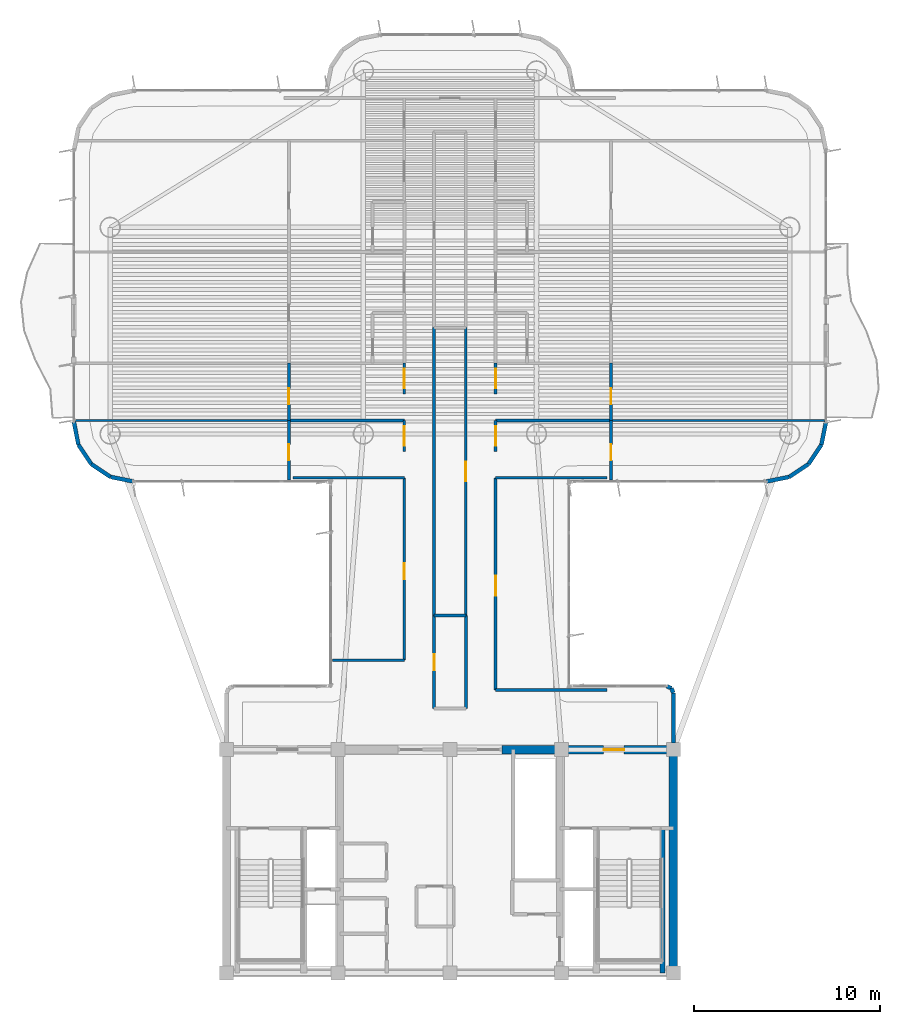
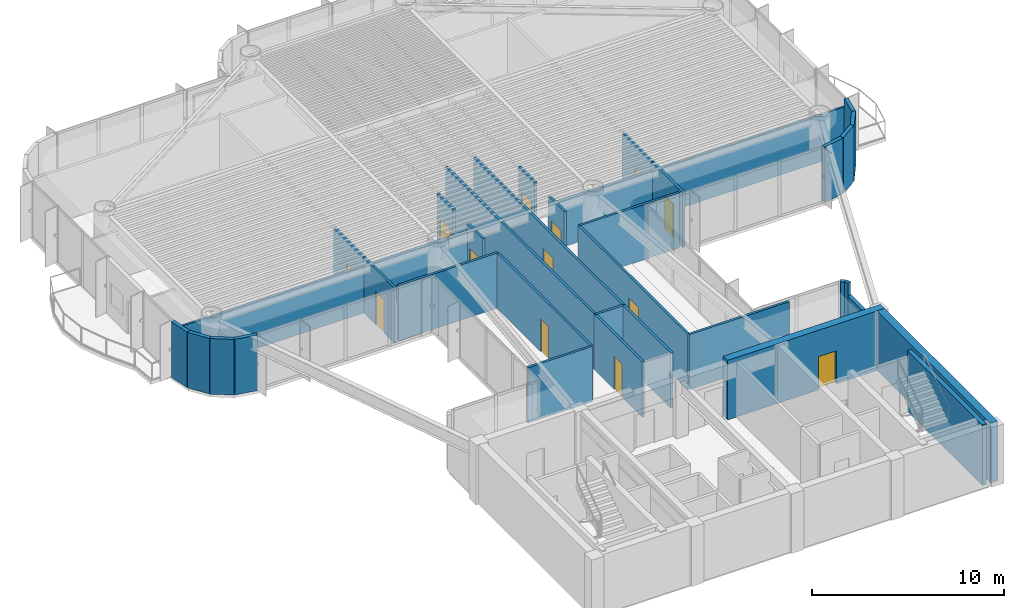
# One storey, part 10 of 15: 37 walls, 13 doors, 13 openings.
"""IFC4 building model written with IfcOpenShell, lengths in metres."""

from ifc_helpers import new_model, si_unit, direction, frame, frame_2d, origin, origin_2d, place, context, subcontext, project, spatial, rectangle, extrude, source, transform, mapped, material, layer, layer_set, type_object, element, fill, save


model = new_model("IFC4")

# Units and contexts
model_context = context("Model", 3, precision=1e-05, world=origin(), true_north=direction((0.0, 1.0)))
body_context = subcontext(model_context, "Body", "Model", "MODEL_VIEW")
ifc_project = project(units=[si_unit("LENGTHUNIT", "METRE"), si_unit("AREAUNIT", "SQUARE_METRE"), si_unit("VOLUMEUNIT", "CUBIC_METRE"), si_unit("PLANEANGLEUNIT", "RADIAN"), si_unit("MASSUNIT", "GRAM", prefix="KILO")], contexts=[model_context])

# Site, building, storey
site_placement = place(None, origin())
site = spatial("IfcSite", under=ifc_project, at=site_placement, CompositionType="ELEMENT")
building_placement = place(site_placement, origin())
building = spatial("IfcBuilding", under=site, at=building_placement, Name="Brelvock Crest Care Tower", CompositionType="ELEMENT")
storey_placement = place(building_placement, frame((0.0, 0.0, 167.760009765625)))
storey = spatial("IfcBuildingStorey", under=building, at=storey_placement, Name="L42", CompositionType="ELEMENT", Elevation=167.760009765625)

# Wall
ifc_material_1 = material(Name="Concrete S65 (65 MPa)", Category="concrete")
ifc_layer_1 = layer(ifc_material_1, 0.449951171875, Name="WL-CS3")
ifc_layer_set_1 = layer_set([ifc_layer_1], Name="Concrete S65 (65 MPa)")
wall_type_1 = type_object("IfcWallType", Name="WL-CS3", PredefinedType="SHEAR", material=ifc_layer_set_1)
wall_1_placement = place(storey_placement, frame((48.0, 18.0, 0.0), z_axis=(0.0, 0.0, 1.0), x_axis=(0.0, -1.0, 0.0)))
element("IfcWall", 1, at=wall_1_placement, inside=storey, type_object=wall_type_1, Name="L42 Core East Shear Wall", PredefinedType="SHEAR", context=body_context, shape_type="SweptSolid", body=[
    extrude(rectangle(XDim=12.0, YDim=0.449951171875, at=frame_2d((6.0, 0.0))), origin(), (0.0, 0.0, 1.0), 3.780029296875),
])

# Wall, opening, door
wall_2_placement = place(storey_placement, frame((38.800048828125, 18.0, 0.0), z_axis=(0.0, 0.0, 1.0), x_axis=(1.0, 0.0, 0.0)))
wall_2 = element("IfcWall", 2, at=wall_2_placement, inside=storey, type_object=wall_type_1, Name="L42 Core North-East Shear Wall", PredefinedType="SHEAR", context=body_context, shape_type="SweptSolid", body=[
    extrude(rectangle(XDim=9.425048828125, YDim=0.449951171875, at=frame_2d((4.71240234375, 0.0))), origin(), (0.0, 0.0, 1.0), 3.780029296875),
])
opening_1_placement = place(wall_2_placement, frame((5.449951171875, 0.0, 0.0)))
opening_1 = element("IfcOpeningElement", 3, at=opening_1_placement, cuts=wall_2, Name="Opening FD-1", PredefinedType="OPENING", context=body_context, shape_type="SweptSolid", body=[
    extrude(rectangle(XDim=1.10009765625, YDim=2.10009765625, at=origin_2d()), frame((0.550048828125, 0.23486328125, 1.050048828125), z_axis=(0.0, -1.0, 0.0), x_axis=(1.0, 0.0, 0.0)), (0.0, 0.0, 1.0), 0.469970703125),
])
ifc_material_2 = material(Name="Steel Grade 350", Category="steel")
door_type_1 = type_object("IfcDoorType", Name="DR-FFL1", OperationType="NOTDEFINED", PredefinedType="DOOR", material=ifc_material_2)
shared_shape_1 = source(origin(), body_context, "Body", "SweptSolid", [
    extrude(rectangle(XDim=1.10009765625, YDim=2.10009765625, at=origin_2d()), frame((0.550048828125, 0.02490234375, 1.050048828125), z_axis=(0.0, -1.0, 0.0), x_axis=(1.0, 0.0, 0.0)), (0.0, 0.0, 1.0), 0.050048828125),
])
door_1_placement = place(opening_1_placement, origin())
door_1 = element("IfcDoor", 4, at=door_1_placement, inside=storey, type_object=door_type_1, Name="L42 Firefighting Lobby FFL-2 Exit Door", OperationType="SINGLE_SWING_RIGHT", OverallHeight=2.10009765625, OverallWidth=1.10009765625, PredefinedType="DOOR", context=body_context, shape_type="MappedRepresentation", body=[
    mapped(shared_shape_1, transform((0.0, 0.0, 0.0), x_axis=(1.0, 0.0, 0.0), y_axis=(0.0, 1.0, 0.0), z_axis=(0.0, 0.0, 1.0), scale=1.0)),
])
fill(opening_1, door_1)

# Walls
ifc_material_3 = material(Name="Concrete S80 (80 MPa)", Category="concrete")
ifc_layer_2 = layer(ifc_material_3, 0.25, Name="WL-CS6")
ifc_layer_set_2 = layer_set([ifc_layer_2], Name="Concrete S80 (80 MPa)")
wall_type_2 = type_object("IfcWallType", Name="WL-CS6", PredefinedType="SHEAR", material=ifc_layer_set_2)
wall_3_placement = place(storey_placement, frame((47.419921875, 6.0, 0.0), z_axis=(0.0, 0.0, 1.0), x_axis=(0.0, 1.0, 0.0)))
element("IfcWall", 5, at=wall_3_placement, inside=storey, type_object=wall_type_2, Name="L42 Core Stair ST-2 East Shear Wall", PredefinedType="SHEAR", context=body_context, shape_type="SweptSolid", body=[
    extrude(rectangle(XDim=7.780029296875, YDim=0.25, at=frame_2d((3.89013671875, 0.0))), origin(), (0.0, 0.0, 1.0), 3.85009765625),
])
ifc_material_4 = material(Name="Precast concrete N40 (40 MPa)", Category="concrete")
ifc_layer_3 = layer(ifc_material_4, 0.215087890625, Name="WL-EX2")
ifc_layer_set_3 = layer_set([ifc_layer_3], Name="Precast concrete N40 (40 MPa)")
wall_type_3 = type_object("IfcWallType", Name="WL-EX2", PredefinedType="SOLIDWALL", material=ifc_layer_set_3)
wall_4_placement = place(storey_placement, frame((47.8974609375, 21.297607421875, 0.0), z_axis=(0.0, 0.0, 1.0), x_axis=(0.382673670509, -0.923883575944, 0.0)))
element("IfcWall", 6, at=wall_4_placement, inside=storey, type_object=wall_type_3, Name="L42 Rounded Corner Wall 00", PredefinedType="SOLIDWALL", context=body_context, shape_type="SweptSolid", body=[
    extrude(rectangle(XDim=0.26806640625, YDim=0.215087890625, at=frame_2d((0.134033203125, 0.0))), origin(), (0.0, 0.0, 1.0), 3.530029296875),
])
wall_5_placement = place(storey_placement, frame((48.0, 21.050048828125, 0.0), z_axis=(0.0, 0.0, 1.0), x_axis=(0.0, -1.0, 0.0)))
element("IfcWall", 7, at=wall_5_placement, inside=storey, type_object=wall_type_3, Name="L42 Rounded Corner Wall 01", PredefinedType="SOLIDWALL", context=body_context, shape_type="SweptSolid", body=[
    extrude(rectangle(XDim=2.695068359375, YDim=0.215087890625, at=frame_2d((1.34765625, 0.0))), origin(), (0.0, 0.0, 1.0), 2.718017578125),
])
for number, where, z_axis, x_axis, name in (
    (8, (19.0, 32.39990234375, 0.0), (0.0, 0.0, 1.0), (-0.980775717779, 0.195138390419, 0.0), "L42 Rounded Corner Wall 13"),
    (9, (17.775390625, 32.6435546875, 0.0), (0.0, 0.0, 1.0), (-0.831387912822, 0.555692485475, 0.0), "L42 Rounded Corner Wall 14"),
    (10, (16.7373046875, 33.33740234375, 0.0), (0.0, 0.0, 1.0), (-0.555557312883, 0.831478245117, 0.0), "L42 Rounded Corner Wall 15"),
    (11, (16.043701171875, 34.37548828125, 0.0), (0.0, 0.0, 1.0), (-0.195138390419, 0.980775717779, 0.0), "L42 Rounded Corner Wall 16"),
    (12, (56.199951171875, 35.60009765625, 0.0), (0.0, 0.0, 1.0), (-0.195138390419, -0.980775717779, 0.0), "L42 Rounded Corner Wall 40"),
    (13, (55.956298828125, 34.37548828125, 0.0), (0.0, 0.0, 1.0), (-0.555557312883, -0.831478245117, 0.0), "L42 Rounded Corner Wall 41"),
    (14, (55.2626953125, 33.33740234375, 0.0), (0.0, 0.0, 1.0), (-0.831387912822, -0.555692485475, 0.0), "L42 Rounded Corner Wall 42"),
    (15, (54.224609375, 32.6435546875, 0.0), (0.0, 0.0, 1.0), (-0.980775717779, -0.195138390419, 0.0), "L42 Rounded Corner Wall 43"),
):
    element("IfcWall", number, at=place(storey_placement, frame(where, z_axis=z_axis, x_axis=x_axis)), inside=storey, type_object=wall_type_3, Name=name, PredefinedType="SOLIDWALL", context=body_context, shape_type="SweptSolid", body=[
        extrude(rectangle(XDim=1.24853515625, YDim=0.215087890625, at=frame_2d((0.624267578125, 0.0))), origin(), (0.0, 0.0, 1.0), 3.530029296875),
    ])
wall_6_placement = place(storey_placement, frame((47.64990234375, 21.39990234375, 0.0), z_axis=(0.0, 0.0, 1.0), x_axis=(0.924205486139, -0.381895560841, 0.0)))
element("IfcWall", 16, at=wall_6_placement, inside=storey, type_object=wall_type_3, Name="L42 Rounded Corner Wall 47", PredefinedType="SOLIDWALL", context=body_context, shape_type="SweptSolid", body=[
    extrude(rectangle(XDim=0.267822265625, YDim=0.215087890625, at=frame_2d((0.1337890625, 0.0))), origin(), (0.0, 0.0, 1.0), 3.530029296875),
])
ifc_material_5 = material(Name="Masonry Blockwork Acoustic Partition", Category="masonry")
ifc_layer_4 = layer(ifc_material_5, 0.14990234375, Name="WL-INT1")
ifc_layer_set_4 = layer_set([ifc_layer_4], Name="Masonry Blockwork Acoustic Partition")
wall_type_4 = type_object("IfcWallType", Name="WL-INT1", PredefinedType="PARTITIONING", material=ifc_layer_set_4)
wall_7_placement = place(storey_placement, frame((38.449951171875, 21.199951171875, 0.0), z_axis=(0.0, 0.0, 1.0), x_axis=(1.0, 0.0, 0.0)))
element("IfcWall", 17, at=wall_7_placement, inside=storey, type_object=wall_type_4, Name="L42 Interior Wall WL-BX-L42-THRE-S", PredefinedType="PARTITIONING", context=body_context, shape_type="SweptSolid", body=[
    extrude(rectangle(XDim=5.99267578125, YDim=0.14990234375, at=frame_2d((2.996337890625, 0.0))), origin(), (0.0, 0.0, 1.0), 3.5),
])
wall_8_placement = place(storey_placement, frame((29.6796875, 22.800048828125, 0.0), z_axis=(0.0, 0.0, 1.0), x_axis=(1.0, 0.0, 0.0)))
element("IfcWall", 18, at=wall_8_placement, inside=storey, type_object=wall_type_4, Name="L42 Interior Wall WL-BX-L42-THRW-S", PredefinedType="PARTITIONING", context=body_context, shape_type="SweptSolid", body=[
    extrude(rectangle(XDim=3.870361328125, YDim=0.14990234375, at=frame_2d((1.93505859375, 0.0))), origin(), (0.0, 0.0, 1.0), 3.5),
])
wall_9_placement = place(storey_placement, frame((27.55712890625, 32.60009765625, 0.0), z_axis=(0.0, 0.0, 1.0), x_axis=(1.0, 0.0, 0.0)))
element("IfcWall", 19, at=wall_9_placement, inside=storey, type_object=wall_type_4, Name="L42 Interior Wall WL-BX-L42-CS-WS1A-S", PredefinedType="PARTITIONING", context=body_context, shape_type="SweptSolid", body=[
    extrude(rectangle(XDim=5.992919921875, YDim=0.14990234375, at=frame_2d((2.99658203125, 0.0))), origin(), (0.0, 0.0, 1.0), 3.5),
])
wall_10_placement = place(storey_placement, frame((38.449951171875, 32.60009765625, 0.0), z_axis=(0.0, 0.0, 1.0), x_axis=(1.0, 0.0, 0.0)))
element("IfcWall", 20, at=wall_10_placement, inside=storey, type_object=wall_type_4, Name="L42 Interior Wall WL-BX-L42-CS-ES1A-S", PredefinedType="PARTITIONING", context=body_context, shape_type="SweptSolid", body=[
    extrude(rectangle(XDim=5.993408203125, YDim=0.14990234375, at=frame_2d((2.99658203125, 0.0))), origin(), (0.0, 0.0, 1.0), 3.5),
])
for number, where, z_axis, x_axis, name in (
    (21, (27.35009765625, 35.677001953125, 0.0), (0.0, 0.0, 1.0), (1.0, 0.0, 0.0), "L42 Interior Wall WL-BX-L42-CS-WS1A-N"),
    (22, (38.449951171875, 35.677001953125, 0.0), (0.0, 0.0, 1.0), (1.0, 0.0, 0.0), "L42 Interior Wall WL-BX-L42-CS-ES1A-N"),
):
    element("IfcWall", number, at=place(storey_placement, frame(where, z_axis=z_axis, x_axis=x_axis)), inside=storey, type_object=wall_type_4, Name=name, PredefinedType="PARTITIONING", context=body_context, shape_type="SweptSolid", body=[
        extrude(rectangle(XDim=6.199951171875, YDim=0.14990234375, at=frame_2d((3.10009765625, 0.0))), origin(), (0.0, 0.0, 1.0), 2.98193359375),
    ])

# Wall, opening, door
wall_11_placement = place(storey_placement, frame((27.35009765625, 32.47998046875, 0.0), z_axis=(0.0, 0.0, 1.0), x_axis=(0.0, 1.0, 0.0)))
wall_11 = element("IfcWall", 23, at=wall_11_placement, inside=storey, type_object=wall_type_4, Name="L42 Interior Wall WL-RM-L42-WS1AS", PredefinedType="PARTITIONING", context=body_context, shape_type="SweptSolid", body=[
    extrude(rectangle(XDim=3.197021484375, YDim=0.14990234375, at=frame_2d((1.5986328125, 0.0))), origin(), (0.0, 0.0, 1.0), 3.5),
])
opening_2_placement = place(wall_11_placement, frame((1.06005859375, 0.0, 0.0)))
opening_2 = element("IfcOpeningElement", 24, at=opening_2_placement, cuts=wall_11, Name="Opening ID-1", PredefinedType="OPENING", context=body_context, shape_type="SweptSolid", body=[
    extrude(rectangle(XDim=0.860107421875, YDim=2.10009765625, at=origin_2d()), frame((0.43017578125, 0.0849609375, 1.050048828125), z_axis=(0.0, -1.0, 0.0), x_axis=(1.0, 0.0, 0.0)), (0.0, 0.0, 1.0), 0.169921875),
])
ifc_material_6 = material(Name="Engineered Hardwood Timber", Category="wood")
door_type_2 = type_object("IfcDoorType", Name="DR-INT1", OperationType="NOTDEFINED", PredefinedType="DOOR", material=ifc_material_6)
shared_shape_2 = source(origin(), body_context, "Body", "SweptSolid", [
    extrude(rectangle(XDim=0.860107421875, YDim=2.10009765625, at=origin_2d()), frame((0.43017578125, 0.02490234375, 1.050048828125), z_axis=(0.0, -1.0, 0.0), x_axis=(1.0, 0.0, 0.0)), (0.0, 0.0, 1.0), 0.050048828125),
])
door_2_placement = place(opening_2_placement, origin())
door_2 = element("IfcDoor", 25, at=door_2_placement, inside=storey, type_object=door_type_2, Name="L42 Assisted Care Mobility Store Door WS1AS", OperationType="SINGLE_SWING_LEFT", OverallHeight=2.10009765625, OverallWidth=0.860107421875, PredefinedType="DOOR", context=body_context, shape_type="MappedRepresentation", body=[
    mapped(shared_shape_2, transform((0.0, 0.0, 0.0), x_axis=(1.0, 0.0, 0.0), y_axis=(0.0, 1.0, 0.0), z_axis=(0.0, 0.0, 1.0), scale=1.0)),
])
fill(opening_2, door_2)

wall_12_placement = place(storey_placement, frame((27.35009765625, 35.677001953125, 0.0), z_axis=(0.0, 0.0, 1.0), x_axis=(0.0, 1.0, 0.0)))
wall_12 = element("IfcWall", 26, at=wall_12_placement, inside=storey, type_object=wall_type_4, Name="L42 Interior Wall WL-RM-L42-WS1BS", PredefinedType="PARTITIONING", context=body_context, shape_type="SweptSolid", body=[
    extrude(rectangle(XDim=3.076904296875, YDim=0.14990234375, at=frame_2d((1.53857421875, 0.0))), origin(), (0.0, 0.0, 1.0), 3.5),
])
opening_3_placement = place(wall_12_placement, frame((0.863037109375, 0.0, 0.0)))
opening_3 = element("IfcOpeningElement", 27, at=opening_3_placement, cuts=wall_12, Name="Opening ID-1", PredefinedType="OPENING", context=body_context, shape_type="SweptSolid", body=[
    extrude(rectangle(XDim=0.860107421875, YDim=2.10009765625, at=origin_2d()), frame((0.43017578125, 0.0849609375, 1.050048828125), z_axis=(0.0, -1.0, 0.0), x_axis=(1.0, 0.0, 0.0)), (0.0, 0.0, 1.0), 0.169921875),
])
door_3_placement = place(opening_3_placement, origin())
door_3 = element("IfcDoor", 28, at=door_3_placement, inside=storey, type_object=door_type_2, Name="L42 Assisted Care Mobility Store Door WS1BS", OperationType="SINGLE_SWING_LEFT", OverallHeight=2.10009765625, OverallWidth=0.860107421875, PredefinedType="DOOR", context=body_context, shape_type="MappedRepresentation", body=[
    mapped(shared_shape_2, transform((0.0, 0.0, 0.0), x_axis=(1.0, 0.0, 0.0), y_axis=(0.0, 1.0, 0.0), z_axis=(0.0, 0.0, 1.0), scale=1.0)),
])
fill(opening_3, door_3)

wall_13_placement = place(storey_placement, frame((33.550048828125, 22.800048828125, 0.0), z_axis=(0.0, 0.0, 1.0), x_axis=(0.0, 1.0, 0.0)))
wall_13 = element("IfcWall", 29, at=wall_13_placement, inside=storey, type_object=wall_type_4, Name="L42 Interior Wall WL-RM-L42-THRW", PredefinedType="PARTITIONING", context=body_context, shape_type="SweptSolid", body=[
    extrude(rectangle(XDim=9.800048828125, YDim=0.14990234375, at=frame_2d((4.89990234375, 0.0))), origin(), (0.0, 0.0, 1.0), 3.5),
])
opening_4_placement = place(wall_13_placement, frame((4.340087890625, 0.0, 0.0)))
opening_4 = element("IfcOpeningElement", 30, at=opening_4_placement, cuts=wall_13, Name="Opening ID-1", PredefinedType="OPENING", context=body_context, shape_type="SweptSolid", body=[
    extrude(rectangle(XDim=0.860107421875, YDim=2.10009765625, at=origin_2d()), frame((0.43017578125, 0.0849609375, 1.050048828125), z_axis=(0.0, -1.0, 0.0), x_axis=(1.0, 0.0, 0.0)), (0.0, 0.0, 1.0), 0.169921875),
])
door_4_placement = place(opening_4_placement, origin())
door_4 = element("IfcDoor", 31, at=door_4_placement, inside=storey, type_object=door_type_2, Name="L42 Quiet Family Consultation Room Door THRW", OperationType="SINGLE_SWING_LEFT", OverallHeight=2.10009765625, OverallWidth=0.860107421875, PredefinedType="DOOR", context=body_context, shape_type="MappedRepresentation", body=[
    mapped(shared_shape_2, transform((0.0, 0.0, 0.0), x_axis=(1.0, 0.0, 0.0), y_axis=(0.0, 1.0, 0.0), z_axis=(0.0, 0.0, 1.0), scale=1.0)),
])
fill(opening_4, door_4)

wall_14_placement = place(storey_placement, frame((33.550048828125, 34.02001953125, 0.0), z_axis=(0.0, 0.0, 1.0), x_axis=(0.0, 1.0, 0.0)))
wall_14 = element("IfcWall", 32, at=wall_14_placement, inside=storey, type_object=wall_type_4, Name="L42 Interior Wall WL-CENT-L42-WS1A", PredefinedType="PARTITIONING", context=body_context, shape_type="SweptSolid", body=[
    extrude(rectangle(XDim=1.656982421875, YDim=0.14990234375, at=frame_2d((0.82861328125, 0.0))), origin(), (0.0, 0.0, 1.0), 3.5),
])
opening_5_placement = place(wall_14_placement, frame((0.30810546875, 0.0, 0.0)))
opening_5 = element("IfcOpeningElement", 33, at=opening_5_placement, cuts=wall_14, Name="Opening CD-1", PredefinedType="OPENING", context=body_context, shape_type="SweptSolid", body=[
    extrude(rectangle(XDim=1.050048828125, YDim=2.10009765625, at=origin_2d()), frame((0.52490234375, 0.0849609375, 1.050048828125), z_axis=(0.0, -1.0, 0.0), x_axis=(1.0, 0.0, 0.0)), (0.0, 0.0, 1.0), 0.169921875),
])
door_type_3 = type_object("IfcDoorType", Name="DR-CARE1", OperationType="NOTDEFINED", PredefinedType="DOOR", material=ifc_material_6)
shared_shape_3 = source(origin(), body_context, "Body", "SweptSolid", [
    extrude(rectangle(XDim=1.050048828125, YDim=2.10009765625, at=origin_2d()), frame((0.52490234375, 0.02490234375, 1.050048828125), z_axis=(0.0, -1.0, 0.0), x_axis=(1.0, 0.0, 0.0)), (0.0, 0.0, 1.0), 0.050048828125),
])
door_5_placement = place(opening_5_placement, origin())
door_5 = element("IfcDoor", 34, at=door_5_placement, inside=storey, type_object=door_type_3, Name="L42 Care Suite Door WS1A", OperationType="SINGLE_SWING_LEFT", OverallHeight=2.10009765625, OverallWidth=1.050048828125, PredefinedType="DOOR", context=body_context, shape_type="MappedRepresentation", body=[
    mapped(shared_shape_3, transform((0.0, 0.0, 0.0), x_axis=(1.0, 0.0, 0.0), y_axis=(0.0, 1.0, 0.0), z_axis=(0.0, 0.0, 1.0), scale=1.0)),
])
fill(opening_5, door_5)

wall_15_placement = place(storey_placement, frame((33.550048828125, 37.096923828125, 0.0), z_axis=(0.0, 0.0, 1.0), x_axis=(0.0, 1.0, 0.0)))
wall_15 = element("IfcWall", 35, at=wall_15_placement, inside=storey, type_object=wall_type_4, Name="L42 Interior Wall WL-CENT-L42-WS1B", PredefinedType="PARTITIONING", context=body_context, shape_type="SweptSolid", body=[
    extrude(rectangle(XDim=1.656982421875, YDim=0.14990234375, at=frame_2d((0.82861328125, 0.0))), origin(), (0.0, 0.0, 1.0), 3.5),
])
opening_6_placement = place(wall_15_placement, frame((0.30810546875, 0.0, 0.0)))
opening_6 = element("IfcOpeningElement", 36, at=opening_6_placement, cuts=wall_15, Name="Opening CD-1", PredefinedType="OPENING", context=body_context, shape_type="SweptSolid", body=[
    extrude(rectangle(XDim=1.050048828125, YDim=2.10009765625, at=origin_2d()), frame((0.52490234375, 0.0849609375, 1.050048828125), z_axis=(0.0, -1.0, 0.0), x_axis=(1.0, 0.0, 0.0)), (0.0, 0.0, 1.0), 0.169921875),
])
door_6_placement = place(opening_6_placement, origin())
door_6 = element("IfcDoor", 37, at=door_6_placement, inside=storey, type_object=door_type_3, Name="L42 Care Suite Door WS1B", OperationType="SINGLE_SWING_LEFT", OverallHeight=2.10009765625, OverallWidth=1.050048828125, PredefinedType="DOOR", context=body_context, shape_type="MappedRepresentation", body=[
    mapped(shared_shape_3, transform((0.0, 0.0, 0.0), x_axis=(1.0, 0.0, 0.0), y_axis=(0.0, 1.0, 0.0), z_axis=(0.0, 0.0, 1.0), scale=1.0)),
])
fill(opening_6, door_6)

# Wall
wall_16_placement = place(storey_placement, frame((35.14990234375, 25.199951171875, 0.0), z_axis=(0.0, 0.0, 1.0), x_axis=(0.0, 1.0, 0.0)))
element("IfcWall", 38, at=wall_16_placement, inside=storey, type_object=wall_type_4, Name="L42 Interior Wall WL-BX-L42-ISNS-W", PredefinedType="PARTITIONING", context=body_context, shape_type="SweptSolid", body=[
    extrude(rectangle(XDim=15.4599609375, YDim=0.14990234375, at=frame_2d((7.72998046875, 0.0))), origin(), (0.0, 0.0, 1.0), 3.5),
])

# Wall, opening, door
wall_17_placement = place(storey_placement, frame((36.85009765625, 25.199951171875, 0.0), z_axis=(0.0, 0.0, 1.0), x_axis=(0.0, 1.0, 0.0)))
wall_17 = element("IfcWall", 39, at=wall_17_placement, inside=storey, type_object=wall_type_4, Name="L42 Interior Wall WL-RM-L42-ISNS", PredefinedType="PARTITIONING", context=body_context, shape_type="SweptSolid", body=[
    extrude(rectangle(XDim=15.4599609375, YDim=0.14990234375, at=frame_2d((7.72998046875, 0.0))), origin(), (0.0, 0.0, 1.0), 3.5),
])
opening_7_placement = place(wall_17_placement, frame((7.205078125, 0.0, 0.0)))
opening_7 = element("IfcOpeningElement", 40, at=opening_7_placement, cuts=wall_17, Name="Opening CLD-1", PredefinedType="OPENING", context=body_context, shape_type="SweptSolid", body=[
    extrude(rectangle(XDim=1.050048828125, YDim=2.10009765625, at=origin_2d()), frame((0.52490234375, 0.0849609375, 1.050048828125), z_axis=(0.0, -1.0, 0.0), x_axis=(1.0, 0.0, 0.0)), (0.0, 0.0, 1.0), 0.169921875),
])
door_type_4 = type_object("IfcDoorType", Name="DR-CLN1", OperationType="NOTDEFINED", PredefinedType="DOOR", material=ifc_material_6)
shared_shape_4 = source(origin(), body_context, "Body", "SweptSolid", [
    extrude(rectangle(XDim=1.050048828125, YDim=2.10009765625, at=origin_2d()), frame((0.52490234375, 0.02490234375, 1.050048828125), z_axis=(0.0, -1.0, 0.0), x_axis=(1.0, 0.0, 0.0)), (0.0, 0.0, 1.0), 0.050048828125),
])
door_7_placement = place(opening_7_placement, origin())
door_7 = element("IfcDoor", 41, at=door_7_placement, inside=storey, type_object=door_type_4, Name="L42 Care Concierge and Triage Station Door ISNS", OperationType="SINGLE_SWING_LEFT", OverallHeight=2.10009765625, OverallWidth=1.050048828125, PredefinedType="DOOR", context=body_context, shape_type="MappedRepresentation", body=[
    mapped(shared_shape_4, transform((0.0, 0.0, 0.0), x_axis=(1.0, 0.0, 0.0), y_axis=(0.0, 1.0, 0.0), z_axis=(0.0, 0.0, 1.0), scale=1.0)),
])
fill(opening_7, door_7)

wall_18_placement = place(storey_placement, frame((38.449951171875, 21.199951171875, 0.0), z_axis=(0.0, 0.0, 1.0), x_axis=(0.0, 1.0, 0.0)))
wall_18 = element("IfcWall", 42, at=wall_18_placement, inside=storey, type_object=wall_type_4, Name="L42 Interior Wall WL-RM-L42-THRE", PredefinedType="PARTITIONING", context=body_context, shape_type="SweptSolid", body=[
    extrude(rectangle(XDim=11.400146484375, YDim=0.14990234375, at=frame_2d((5.7001953125, 0.0))), origin(), (0.0, 0.0, 1.0), 3.5),
])
opening_8_placement = place(wall_18_placement, frame((5.074951171875, 0.0, 0.0)))
opening_8 = element("IfcOpeningElement", 43, at=opening_8_placement, cuts=wall_18, Name="Opening CLD-1", PredefinedType="OPENING", context=body_context, shape_type="SweptSolid", body=[
    extrude(rectangle(XDim=1.050048828125, YDim=2.10009765625, at=origin_2d()), frame((0.52490234375, 0.0849609375, 1.050048828125), z_axis=(0.0, -1.0, 0.0), x_axis=(1.0, 0.0, 0.0)), (0.0, 0.0, 1.0), 0.169921875),
])
door_8_placement = place(opening_8_placement, origin())
door_8 = element("IfcDoor", 44, at=door_8_placement, inside=storey, type_object=door_type_4, Name="L42 Allied Health Therapy Room Door THRE", OperationType="SINGLE_SWING_LEFT", OverallHeight=2.10009765625, OverallWidth=1.050048828125, PredefinedType="DOOR", context=body_context, shape_type="MappedRepresentation", body=[
    mapped(shared_shape_4, transform((0.0, 0.0, 0.0), x_axis=(1.0, 0.0, 0.0), y_axis=(0.0, 1.0, 0.0), z_axis=(0.0, 0.0, 1.0), scale=1.0)),
])
fill(opening_8, door_8)

wall_19_placement = place(storey_placement, frame((38.449951171875, 34.02001953125, 0.0), z_axis=(0.0, 0.0, 1.0), x_axis=(0.0, 1.0, 0.0)))
wall_19 = element("IfcWall", 45, at=wall_19_placement, inside=storey, type_object=wall_type_4, Name="L42 Interior Wall WL-CENT-L42-ES1A", PredefinedType="PARTITIONING", context=body_context, shape_type="SweptSolid", body=[
    extrude(rectangle(XDim=1.656982421875, YDim=0.14990234375, at=frame_2d((0.82861328125, 0.0))), origin(), (0.0, 0.0, 1.0), 3.5),
])
opening_9_placement = place(wall_19_placement, frame((0.30810546875, 0.0, 0.0)))
opening_9 = element("IfcOpeningElement", 46, at=opening_9_placement, cuts=wall_19, Name="Opening CD-1", PredefinedType="OPENING", context=body_context, shape_type="SweptSolid", body=[
    extrude(rectangle(XDim=1.050048828125, YDim=2.10009765625, at=origin_2d()), frame((0.52490234375, 0.0849609375, 1.050048828125), z_axis=(0.0, -1.0, 0.0), x_axis=(1.0, 0.0, 0.0)), (0.0, 0.0, 1.0), 0.169921875),
])
door_9_placement = place(opening_9_placement, origin())
door_9 = element("IfcDoor", 47, at=door_9_placement, inside=storey, type_object=door_type_3, Name="L42 Care Suite Door ES1A", OperationType="SINGLE_SWING_LEFT", OverallHeight=2.10009765625, OverallWidth=1.050048828125, PredefinedType="DOOR", context=body_context, shape_type="MappedRepresentation", body=[
    mapped(shared_shape_3, transform((0.0, 0.0, 0.0), x_axis=(1.0, 0.0, 0.0), y_axis=(0.0, 1.0, 0.0), z_axis=(0.0, 0.0, 1.0), scale=1.0)),
])
fill(opening_9, door_9)

wall_20_placement = place(storey_placement, frame((38.449951171875, 37.096923828125, 0.0), z_axis=(0.0, 0.0, 1.0), x_axis=(0.0, 1.0, 0.0)))
wall_20 = element("IfcWall", 48, at=wall_20_placement, inside=storey, type_object=wall_type_4, Name="L42 Interior Wall WL-CENT-L42-ES1B", PredefinedType="PARTITIONING", context=body_context, shape_type="SweptSolid", body=[
    extrude(rectangle(XDim=1.656982421875, YDim=0.14990234375, at=frame_2d((0.82861328125, 0.0))), origin(), (0.0, 0.0, 1.0), 3.5),
])
opening_10_placement = place(wall_20_placement, frame((0.30810546875, 0.0, 0.0)))
opening_10 = element("IfcOpeningElement", 49, at=opening_10_placement, cuts=wall_20, Name="Opening CD-1", PredefinedType="OPENING", context=body_context, shape_type="SweptSolid", body=[
    extrude(rectangle(XDim=1.050048828125, YDim=2.10009765625, at=origin_2d()), frame((0.52490234375, 0.0849609375, 1.050048828125), z_axis=(0.0, -1.0, 0.0), x_axis=(1.0, 0.0, 0.0)), (0.0, 0.0, 1.0), 0.169921875),
])
door_10_placement = place(opening_10_placement, origin())
door_10 = element("IfcDoor", 50, at=door_10_placement, inside=storey, type_object=door_type_3, Name="L42 Care Suite Door ES1B", OperationType="SINGLE_SWING_LEFT", OverallHeight=2.10009765625, OverallWidth=1.050048828125, PredefinedType="DOOR", context=body_context, shape_type="MappedRepresentation", body=[
    mapped(shared_shape_3, transform((0.0, 0.0, 0.0), x_axis=(1.0, 0.0, 0.0), y_axis=(0.0, 1.0, 0.0), z_axis=(0.0, 0.0, 1.0), scale=1.0)),
])
fill(opening_10, door_10)

wall_21_placement = place(storey_placement, frame((44.64990234375, 32.47998046875, 0.0), z_axis=(0.0, 0.0, 1.0), x_axis=(0.0, 1.0, 0.0)))
wall_21 = element("IfcWall", 51, at=wall_21_placement, inside=storey, type_object=wall_type_4, Name="L42 Interior Wall WL-RM-L42-ES1AS", PredefinedType="PARTITIONING", context=body_context, shape_type="SweptSolid", body=[
    extrude(rectangle(XDim=3.197021484375, YDim=0.14990234375, at=frame_2d((1.5986328125, 0.0))), origin(), (0.0, 0.0, 1.0), 3.5),
])
opening_11_placement = place(wall_21_placement, frame((1.06005859375, 0.0, 0.0)))
opening_11 = element("IfcOpeningElement", 52, at=opening_11_placement, cuts=wall_21, Name="Opening ID-1", PredefinedType="OPENING", context=body_context, shape_type="SweptSolid", body=[
    extrude(rectangle(XDim=0.860107421875, YDim=2.10009765625, at=origin_2d()), frame((0.43017578125, 0.0849609375, 1.050048828125), z_axis=(0.0, -1.0, 0.0), x_axis=(1.0, 0.0, 0.0)), (0.0, 0.0, 1.0), 0.169921875),
])
door_11_placement = place(opening_11_placement, origin())
door_11 = element("IfcDoor", 53, at=door_11_placement, inside=storey, type_object=door_type_2, Name="L42 Assisted Care Mobility Store Door ES1AS", OperationType="SINGLE_SWING_LEFT", OverallHeight=2.10009765625, OverallWidth=0.860107421875, PredefinedType="DOOR", context=body_context, shape_type="MappedRepresentation", body=[
    mapped(shared_shape_2, transform((0.0, 0.0, 0.0), x_axis=(1.0, 0.0, 0.0), y_axis=(0.0, 1.0, 0.0), z_axis=(0.0, 0.0, 1.0), scale=1.0)),
])
fill(opening_11, door_11)

wall_22_placement = place(storey_placement, frame((44.64990234375, 35.677001953125, 0.0), z_axis=(0.0, 0.0, 1.0), x_axis=(0.0, 1.0, 0.0)))
wall_22 = element("IfcWall", 54, at=wall_22_placement, inside=storey, type_object=wall_type_4, Name="L42 Interior Wall WL-RM-L42-ES1BS", PredefinedType="PARTITIONING", context=body_context, shape_type="SweptSolid", body=[
    extrude(rectangle(XDim=3.076904296875, YDim=0.14990234375, at=frame_2d((1.53857421875, 0.0))), origin(), (0.0, 0.0, 1.0), 3.5),
])
opening_12_placement = place(wall_22_placement, frame((0.863037109375, 0.0, 0.0)))
opening_12 = element("IfcOpeningElement", 55, at=opening_12_placement, cuts=wall_22, Name="Opening ID-1", PredefinedType="OPENING", context=body_context, shape_type="SweptSolid", body=[
    extrude(rectangle(XDim=0.860107421875, YDim=2.10009765625, at=origin_2d()), frame((0.43017578125, 0.0849609375, 1.050048828125), z_axis=(0.0, -1.0, 0.0), x_axis=(1.0, 0.0, 0.0)), (0.0, 0.0, 1.0), 0.169921875),
])
door_12_placement = place(opening_12_placement, origin())
door_12 = element("IfcDoor", 56, at=door_12_placement, inside=storey, type_object=door_type_2, Name="L42 Assisted Care Mobility Store Door ES1BS", OperationType="SINGLE_SWING_LEFT", OverallHeight=2.10009765625, OverallWidth=0.860107421875, PredefinedType="DOOR", context=body_context, shape_type="MappedRepresentation", body=[
    mapped(shared_shape_2, transform((0.0, 0.0, 0.0), x_axis=(1.0, 0.0, 0.0), y_axis=(0.0, 1.0, 0.0), z_axis=(0.0, 0.0, 1.0), scale=1.0)),
])
fill(opening_12, door_12)

# Walls
ifc_material_7 = material(Name="Gypsum Plasterboard Partition", Category="gypsum")
ifc_layer_5 = layer(ifc_material_7, 0.1201171875, Name="WL-INT2")
ifc_layer_set_5 = layer_set([ifc_layer_5], Name="Gypsum Plasterboard Partition")
wall_type_5 = type_object("IfcWallType", Name="WL-INT2", PredefinedType="PARTITIONING", material=ifc_layer_set_5)
for number, where, z_axis, x_axis, name in (
    (57, (15.8798828125, 35.677001953125, 0.0), (0.0, 0.0, 1.0), (1.0, 0.0, 0.0), "L42 Interior Wall WL-BX-L42-WS1AS-N"),
    (58, (44.64990234375, 35.677001953125, 0.0), (0.0, 0.0, 1.0), (1.0, 0.0, 0.0), "L42 Interior Wall WL-BX-L42-ES1AS-N"),
):
    element("IfcWall", number, at=place(storey_placement, frame(where, z_axis=z_axis, x_axis=x_axis)), inside=storey, type_object=wall_type_5, Name=name, PredefinedType="PARTITIONING", context=body_context, shape_type="SweptSolid", body=[
        extrude(rectangle(XDim=11.47021484375, YDim=0.1201171875, at=frame_2d((5.735107421875, 0.0))), origin(), (0.0, 0.0, 1.0), 2.98193359375),
    ])
ifc_layer_6 = layer(ifc_material_7, 0.159912109375, Name="WL-PLM1")
ifc_layer_set_6 = layer_set([ifc_layer_6], Name="Gypsum Plasterboard Partition")
wall_type_6 = type_object("IfcWallType", Name="WL-PLM1", PredefinedType="PLUMBINGWALL", material=ifc_layer_set_6)
wall_23_placement = place(storey_placement, frame((35.14990234375, 25.199951171875, 0.0), z_axis=(0.0, 0.0, 1.0), x_axis=(1.0, 0.0, 0.0)))
element("IfcWall", 59, at=wall_23_placement, inside=storey, type_object=wall_type_6, Name="L42 Interior Wall WL-BX-L42-ISNS-S", PredefinedType="PLUMBINGWALL", context=body_context, shape_type="SweptSolid", body=[
    extrude(rectangle(XDim=1.7001953125, YDim=0.159912109375, at=frame_2d((0.85009765625, 0.0))), origin(), (0.0, 0.0, 1.0), 3.5),
])

# Wall, opening, door
wall_24_placement = place(storey_placement, frame((35.14990234375, 20.199951171875, 0.0), z_axis=(0.0, 0.0, 1.0), x_axis=(0.0, 1.0, 0.0)))
wall_24 = element("IfcWall", 60, at=wall_24_placement, inside=storey, type_object=wall_type_6, Name="L42 Interior Wall WL-RM-L42-ISWC", PredefinedType="PLUMBINGWALL", context=body_context, shape_type="SweptSolid", body=[
    extrude(rectangle(XDim=5.0, YDim=0.159912109375, at=frame_2d((2.5, 0.0))), origin(), (0.0, 0.0, 1.0), 3.5),
])
opening_13_placement = place(wall_24_placement, frame((2.070068359375, 0.0, 0.0)))
opening_13 = element("IfcOpeningElement", 61, at=opening_13_placement, cuts=wall_24, Name="Opening WD-1", PredefinedType="OPENING", context=body_context, shape_type="SweptSolid", body=[
    extrude(rectangle(XDim=0.860107421875, YDim=2.10009765625, at=origin_2d()), frame((0.43017578125, 0.08984375, 1.050048828125), z_axis=(0.0, -1.0, 0.0), x_axis=(1.0, 0.0, 0.0)), (0.0, 0.0, 1.0), 0.179931640625),
])
door_type_5 = type_object("IfcDoorType", Name="DR-WC1", OperationType="NOTDEFINED", PredefinedType="DOOR", material=ifc_material_6)
shared_shape_5 = source(origin(), body_context, "Body", "SweptSolid", [
    extrude(rectangle(XDim=0.860107421875, YDim=2.10009765625, at=origin_2d()), frame((0.43017578125, 0.02490234375, 1.050048828125), z_axis=(0.0, -1.0, 0.0), x_axis=(1.0, 0.0, 0.0)), (0.0, 0.0, 1.0), 0.050048828125),
])
door_13_placement = place(opening_13_placement, origin())
door_13 = element("IfcDoor", 62, at=door_13_placement, inside=storey, type_object=door_type_5, Name="L42 High-Zone Accessible WC Door ISWC", OperationType="SINGLE_SWING_LEFT", OverallHeight=2.10009765625, OverallWidth=0.860107421875, PredefinedType="DOOR", context=body_context, shape_type="MappedRepresentation", body=[
    mapped(shared_shape_5, transform((0.0, 0.0, 0.0), x_axis=(1.0, 0.0, 0.0), y_axis=(0.0, 1.0, 0.0), z_axis=(0.0, 0.0, 1.0), scale=1.0)),
])
fill(opening_13, door_13)

# Wall
wall_25_placement = place(storey_placement, frame((36.85009765625, 20.199951171875, 0.0), z_axis=(0.0, 0.0, 1.0), x_axis=(0.0, 1.0, 0.0)))
element("IfcWall", 63, at=wall_25_placement, inside=storey, type_object=wall_type_6, Name="L42 Interior Wall WL-BX-L42-ISWC-E", PredefinedType="PLUMBINGWALL", context=body_context, shape_type="SweptSolid", body=[
    extrude(rectangle(XDim=5.0, YDim=0.159912109375, at=frame_2d((2.5, 0.0))), origin(), (0.0, 0.0, 1.0), 3.5),
])

save(model, "model.ifc")
